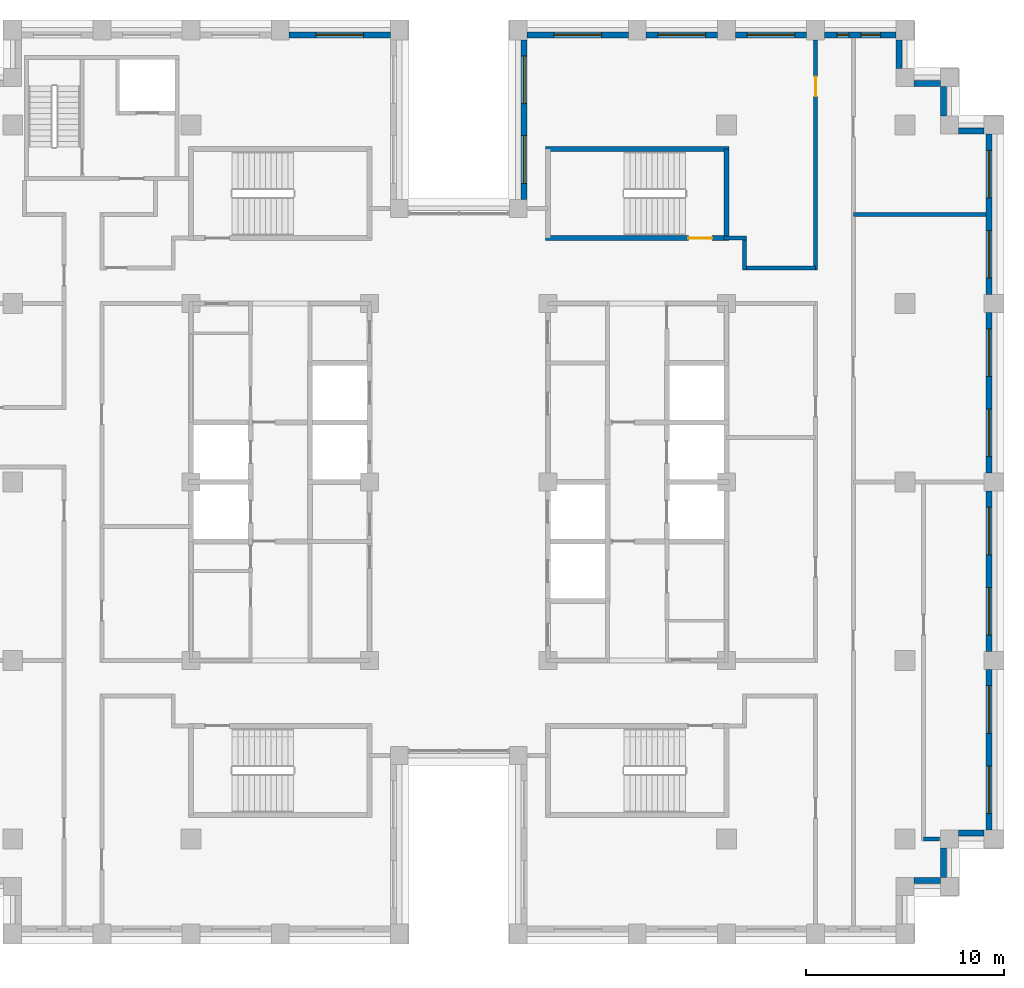
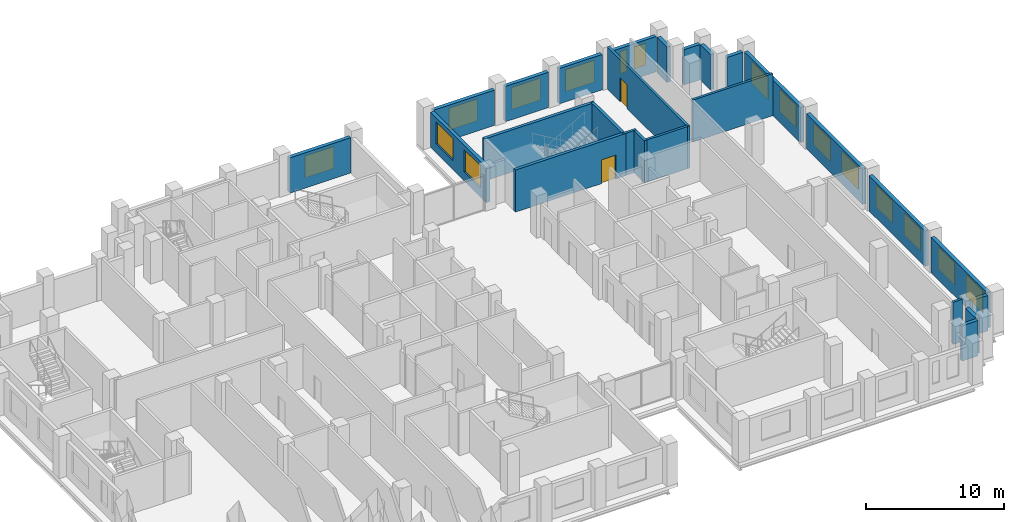
# One storey, part 11 of 15: 26 walls, 16 windows, 2 doors, 18 openings.
"""IFC4 building model written with IfcOpenShell, lengths in metres."""

from ifc_helpers import new_model, si_unit, direction, frame, frame_2d, origin, place, context, subcontext, project, spatial, rectangle, extrude, material, layer, layer_set, type_object, element, fill, save


model = new_model("IFC4")

# Units and contexts
model_context = context("Model", 3, precision=1e-05, world=origin(), true_north=direction((0.0, 1.0)))
body_context = subcontext(model_context, "Body", "Model", "MODEL_VIEW")
ifc_project = project(units=[si_unit("LENGTHUNIT", "METRE"), si_unit("AREAUNIT", "SQUARE_METRE"), si_unit("VOLUMEUNIT", "CUBIC_METRE"), si_unit("PLANEANGLEUNIT", "RADIAN"), si_unit("MASSUNIT", "GRAM", prefix="KILO")], contexts=[model_context])

# Site, building, storey
site_placement = place(None, origin())
site = spatial("IfcSite", under=ifc_project, at=site_placement, CompositionType="ELEMENT")
building_placement = place(site_placement, origin())
building = spatial("IfcBuilding", under=site, at=building_placement, Name="Corbelhall Arena Tower", CompositionType="ELEMENT")
storey_placement = place(building_placement, frame((0.0, 0.0, 224.0)))
storey = spatial("IfcBuildingStorey", under=building, at=storey_placement, Name="L47", CompositionType="ELEMENT", Elevation=224.0)

# Walls
ifc_material_1 = material(Name="Precast concrete C40/50 with granite facing", Category="masonry")
ifc_layer_1 = layer(ifc_material_1, 0.300048828125)
ifc_layer_set_1 = layer_set([ifc_layer_1], Name="EV-IW1 Infill panel 300")
wall_type_1 = type_object("IfcWallType", Name="EV-IW1 Infill panel 300", PredefinedType="SOLIDWALL", material=ifc_layer_set_1)
wall_1_placement = place(storey_placement, frame((22.949951171875, -20.10009765625, 0.0), z_axis=(0.0, 0.0, 1.0), x_axis=(1.0, 0.0, 0.0)))
element("IfcWall", 1, at=wall_1_placement, inside=storey, type_object=wall_type_1, Name="Infill panel IW1", PredefinedType="SOLIDWALL", context=body_context, shape_type="SweptSolid", body=[
    extrude(rectangle(XDim=1.35009765625, YDim=0.300048828125, at=frame_2d((0.675048828125, 0.0))), origin(), (0.0, 0.0, 1.0), 3.1201171875),
])
wall_2_placement = place(storey_placement, frame((24.449951171875, -19.949951171875, 0.0), z_axis=(0.0, 0.0, 1.0), x_axis=(0.0, 1.0, 0.0)))
element("IfcWall", 2, at=wall_2_placement, inside=storey, type_object=wall_type_1, Name="Infill panel IW1", PredefinedType="SOLIDWALL", context=body_context, shape_type="SweptSolid", body=[
    extrude(rectangle(XDim=1.5, YDim=0.300048828125, at=frame_2d((0.75, 0.0))), origin(), (0.0, 0.0, 1.0), 3.1201171875),
])
wall_3_placement = place(storey_placement, frame((25.199951171875, -17.699951171875, 0.0), z_axis=(0.0, 0.0, 1.0), x_axis=(1.0, 0.0, 0.0)))
element("IfcWall", 3, at=wall_3_placement, inside=storey, type_object=wall_type_1, Name="Infill panel IW1", PredefinedType="SOLIDWALL", context=body_context, shape_type="SweptSolid", body=[
    extrude(rectangle(XDim=1.300048828125, YDim=0.300048828125, at=frame_2d((0.64990234375, 0.0))), origin(), (0.0, 0.0, 1.0), 3.1201171875),
])

# Wall, openings, windows
wall_4_placement = place(storey_placement, frame((26.75, -17.550048828125, 0.0), z_axis=(0.0, 0.0, 1.0), x_axis=(0.0, 1.0, 0.0)))
wall_4 = element("IfcWall", 4, at=wall_4_placement, inside=storey, type_object=wall_type_1, Name="Infill panel IW1", PredefinedType="SOLIDWALL", context=body_context, shape_type="SweptSolid", body=[
    extrude(rectangle(XDim=8.10009765625, YDim=0.300048828125, at=frame_2d((4.050048828125, 0.0))), origin(), (0.0, 0.0, 1.0), 3.1201171875),
])
opening_1_placement = place(wall_4_placement, frame((0.824951171875, 0.0, 0.800048828125)))
opening_1 = element("IfcOpeningElement", 5, at=opening_1_placement, cuts=wall_4, Name="Opening WN1", PredefinedType="OPENING", context=body_context, shape_type="SweptSolid", body=[
    extrude(rectangle(XDim=2.39990234375, YDim=1.949951171875, at=frame_2d((1.199951171875, 0.97509765625))), frame((0.0, 0.14990234375, 0.0), z_axis=(0.0, -1.0, 0.0), x_axis=(1.0, 0.0, 0.0)), (0.0, 0.0, 1.0), 0.300048828125),
])
opening_2_placement = place(wall_4_placement, frame((4.875, 0.0, 0.800048828125)))
opening_2 = element("IfcOpeningElement", 6, at=opening_2_placement, cuts=wall_4, Name="Opening WN1", PredefinedType="OPENING", context=body_context, shape_type="SweptSolid", body=[
    extrude(rectangle(XDim=2.39990234375, YDim=1.949951171875, at=frame_2d((1.199951171875, 0.97509765625))), frame((0.0, 0.14990234375, 0.0), z_axis=(0.0, -1.0, 0.0), x_axis=(1.0, 0.0, 0.0)), (0.0, 0.0, 1.0), 0.300048828125),
])
ifc_material_2 = material(Name="Aluminium black anodised", Category="aluminium")
window_type_1 = type_object("IfcWindowType", Name="EV-WN1 Office window", PartitioningType="SINGLE_PANEL", PredefinedType="WINDOW", material=ifc_material_2)
window_1_placement = place(opening_1_placement, origin())
window_1 = element("IfcWindow", 7, at=window_1_placement, inside=storey, type_object=window_type_1, Name="Window WN1", OverallHeight=1.949951171875, OverallWidth=2.39990234375, PartitioningType="SINGLE_PANEL", PredefinedType="WINDOW", context=body_context, shape_type="SweptSolid", body=[
    extrude(rectangle(XDim=2.39990234375, YDim=1.949951171875, at=frame_2d((1.199951171875, 0.97509765625))), frame((0.0, 0.030029296875, 0.0), z_axis=(0.0, -1.0, 0.0), x_axis=(1.0, 0.0, 0.0)), (0.0, 0.0, 1.0), 0.06005859375),
])
fill(opening_1, window_1)
window_2_placement = place(opening_2_placement, origin())
window_2 = element("IfcWindow", 8, at=window_2_placement, inside=storey, type_object=window_type_1, Name="Window WN1", OverallHeight=1.949951171875, OverallWidth=2.39990234375, PartitioningType="SINGLE_PANEL", PredefinedType="WINDOW", context=body_context, shape_type="SweptSolid", body=[
    extrude(rectangle(XDim=2.39990234375, YDim=1.949951171875, at=frame_2d((1.199951171875, 0.97509765625))), frame((0.0, 0.030029296875, 0.0), z_axis=(0.0, -1.0, 0.0), x_axis=(1.0, 0.0, 0.0)), (0.0, 0.0, 1.0), 0.06005859375),
])
fill(opening_2, window_2)

wall_5_placement = place(storey_placement, frame((26.75, -8.550048828125, 0.0), z_axis=(0.0, 0.0, 1.0), x_axis=(0.0, 1.0, 0.0)))
wall_5 = element("IfcWall", 9, at=wall_5_placement, inside=storey, type_object=wall_type_1, Name="Infill panel IW1", PredefinedType="SOLIDWALL", context=body_context, shape_type="SweptSolid", body=[
    extrude(rectangle(XDim=8.10009765625, YDim=0.300048828125, at=frame_2d((4.050048828125, 0.0))), origin(), (0.0, 0.0, 1.0), 3.1201171875),
])
opening_3_placement = place(wall_5_placement, frame((0.824951171875, 0.0, 0.800048828125)))
opening_3 = element("IfcOpeningElement", 10, at=opening_3_placement, cuts=wall_5, Name="Opening WN1", PredefinedType="OPENING", context=body_context, shape_type="SweptSolid", body=[
    extrude(rectangle(XDim=2.39990234375, YDim=1.949951171875, at=frame_2d((1.199951171875, 0.97509765625))), frame((0.0, 0.14990234375, 0.0), z_axis=(0.0, -1.0, 0.0), x_axis=(1.0, 0.0, 0.0)), (0.0, 0.0, 1.0), 0.300048828125),
])
opening_4_placement = place(wall_5_placement, frame((4.875, 0.0, 0.800048828125)))
opening_4 = element("IfcOpeningElement", 11, at=opening_4_placement, cuts=wall_5, Name="Opening WN1", PredefinedType="OPENING", context=body_context, shape_type="SweptSolid", body=[
    extrude(rectangle(XDim=2.39990234375, YDim=1.949951171875, at=frame_2d((1.199951171875, 0.97509765625))), frame((0.0, 0.14990234375, 0.0), z_axis=(0.0, -1.0, 0.0), x_axis=(1.0, 0.0, 0.0)), (0.0, 0.0, 1.0), 0.300048828125),
])
window_3_placement = place(opening_3_placement, origin())
window_3 = element("IfcWindow", 12, at=window_3_placement, inside=storey, type_object=window_type_1, Name="Window WN1", OverallHeight=1.949951171875, OverallWidth=2.39990234375, PartitioningType="SINGLE_PANEL", PredefinedType="WINDOW", context=body_context, shape_type="SweptSolid", body=[
    extrude(rectangle(XDim=2.39990234375, YDim=1.949951171875, at=frame_2d((1.199951171875, 0.97509765625))), frame((0.0, 0.030029296875, 0.0), z_axis=(0.0, -1.0, 0.0), x_axis=(1.0, 0.0, 0.0)), (0.0, 0.0, 1.0), 0.06005859375),
])
fill(opening_3, window_3)
window_4_placement = place(opening_4_placement, origin())
window_4 = element("IfcWindow", 13, at=window_4_placement, inside=storey, type_object=window_type_1, Name="Window WN1", OverallHeight=1.949951171875, OverallWidth=2.39990234375, PartitioningType="SINGLE_PANEL", PredefinedType="WINDOW", context=body_context, shape_type="SweptSolid", body=[
    extrude(rectangle(XDim=2.39990234375, YDim=1.949951171875, at=frame_2d((1.199951171875, 0.97509765625))), frame((0.0, 0.030029296875, 0.0), z_axis=(0.0, -1.0, 0.0), x_axis=(1.0, 0.0, 0.0)), (0.0, 0.0, 1.0), 0.06005859375),
])
fill(opening_4, window_4)

wall_6_placement = place(storey_placement, frame((26.75, 0.449951171875, 0.0), z_axis=(0.0, 0.0, 1.0), x_axis=(0.0, 1.0, 0.0)))
wall_6 = element("IfcWall", 14, at=wall_6_placement, inside=storey, type_object=wall_type_1, Name="Infill panel IW1", PredefinedType="SOLIDWALL", context=body_context, shape_type="SweptSolid", body=[
    extrude(rectangle(XDim=8.10009765625, YDim=0.300048828125, at=frame_2d((4.050048828125, 0.0))), origin(), (0.0, 0.0, 1.0), 3.1201171875),
])
opening_5_placement = place(wall_6_placement, frame((0.824951171875, 0.0, 0.800048828125)))
opening_5 = element("IfcOpeningElement", 15, at=opening_5_placement, cuts=wall_6, Name="Opening WN1", PredefinedType="OPENING", context=body_context, shape_type="SweptSolid", body=[
    extrude(rectangle(XDim=2.39990234375, YDim=1.949951171875, at=frame_2d((1.199951171875, 0.97509765625))), frame((0.0, 0.14990234375, 0.0), z_axis=(0.0, -1.0, 0.0), x_axis=(1.0, 0.0, 0.0)), (0.0, 0.0, 1.0), 0.300048828125),
])
opening_6_placement = place(wall_6_placement, frame((4.875, 0.0, 0.800048828125)))
opening_6 = element("IfcOpeningElement", 16, at=opening_6_placement, cuts=wall_6, Name="Opening WN1", PredefinedType="OPENING", context=body_context, shape_type="SweptSolid", body=[
    extrude(rectangle(XDim=2.39990234375, YDim=1.949951171875, at=frame_2d((1.199951171875, 0.97509765625))), frame((0.0, 0.14990234375, 0.0), z_axis=(0.0, -1.0, 0.0), x_axis=(1.0, 0.0, 0.0)), (0.0, 0.0, 1.0), 0.300048828125),
])
window_5_placement = place(opening_5_placement, origin())
window_5 = element("IfcWindow", 17, at=window_5_placement, inside=storey, type_object=window_type_1, Name="Window WN1", OverallHeight=1.949951171875, OverallWidth=2.39990234375, PartitioningType="SINGLE_PANEL", PredefinedType="WINDOW", context=body_context, shape_type="SweptSolid", body=[
    extrude(rectangle(XDim=2.39990234375, YDim=1.949951171875, at=frame_2d((1.199951171875, 0.97509765625))), frame((0.0, 0.030029296875, 0.0), z_axis=(0.0, -1.0, 0.0), x_axis=(1.0, 0.0, 0.0)), (0.0, 0.0, 1.0), 0.06005859375),
])
fill(opening_5, window_5)
window_6_placement = place(opening_6_placement, origin())
window_6 = element("IfcWindow", 18, at=window_6_placement, inside=storey, type_object=window_type_1, Name="Window WN1", OverallHeight=1.949951171875, OverallWidth=2.39990234375, PartitioningType="SINGLE_PANEL", PredefinedType="WINDOW", context=body_context, shape_type="SweptSolid", body=[
    extrude(rectangle(XDim=2.39990234375, YDim=1.949951171875, at=frame_2d((1.199951171875, 0.97509765625))), frame((0.0, 0.030029296875, 0.0), z_axis=(0.0, -1.0, 0.0), x_axis=(1.0, 0.0, 0.0)), (0.0, 0.0, 1.0), 0.06005859375),
])
fill(opening_6, window_6)

wall_7_placement = place(storey_placement, frame((26.75, 9.449951171875, 0.0), z_axis=(0.0, 0.0, 1.0), x_axis=(0.0, 1.0, 0.0)))
wall_7 = element("IfcWall", 19, at=wall_7_placement, inside=storey, type_object=wall_type_1, Name="Infill panel IW1", PredefinedType="SOLIDWALL", context=body_context, shape_type="SweptSolid", body=[
    extrude(rectangle(XDim=8.10009765625, YDim=0.300048828125, at=frame_2d((4.050048828125, 0.0))), origin(), (0.0, 0.0, 1.0), 3.1201171875),
])
opening_7_placement = place(wall_7_placement, frame((0.824951171875, 0.0, 0.800048828125)))
opening_7 = element("IfcOpeningElement", 20, at=opening_7_placement, cuts=wall_7, Name="Opening WN1", PredefinedType="OPENING", context=body_context, shape_type="SweptSolid", body=[
    extrude(rectangle(XDim=2.39990234375, YDim=1.949951171875, at=frame_2d((1.199951171875, 0.97509765625))), frame((0.0, 0.14990234375, 0.0), z_axis=(0.0, -1.0, 0.0), x_axis=(1.0, 0.0, 0.0)), (0.0, 0.0, 1.0), 0.300048828125),
])
opening_8_placement = place(wall_7_placement, frame((4.875, 0.0, 0.800048828125)))
opening_8 = element("IfcOpeningElement", 21, at=opening_8_placement, cuts=wall_7, Name="Opening WN1", PredefinedType="OPENING", context=body_context, shape_type="SweptSolid", body=[
    extrude(rectangle(XDim=2.39990234375, YDim=1.949951171875, at=frame_2d((1.199951171875, 0.97509765625))), frame((0.0, 0.14990234375, 0.0), z_axis=(0.0, -1.0, 0.0), x_axis=(1.0, 0.0, 0.0)), (0.0, 0.0, 1.0), 0.300048828125),
])
window_7_placement = place(opening_7_placement, origin())
window_7 = element("IfcWindow", 22, at=window_7_placement, inside=storey, type_object=window_type_1, Name="Window WN1", OverallHeight=1.949951171875, OverallWidth=2.39990234375, PartitioningType="SINGLE_PANEL", PredefinedType="WINDOW", context=body_context, shape_type="SweptSolid", body=[
    extrude(rectangle(XDim=2.39990234375, YDim=1.949951171875, at=frame_2d((1.199951171875, 0.97509765625))), frame((0.0, 0.030029296875, 0.0), z_axis=(0.0, -1.0, 0.0), x_axis=(1.0, 0.0, 0.0)), (0.0, 0.0, 1.0), 0.06005859375),
])
fill(opening_7, window_7)
window_8_placement = place(opening_8_placement, origin())
window_8 = element("IfcWindow", 23, at=window_8_placement, inside=storey, type_object=window_type_1, Name="Window WN1", OverallHeight=1.949951171875, OverallWidth=2.39990234375, PartitioningType="SINGLE_PANEL", PredefinedType="WINDOW", context=body_context, shape_type="SweptSolid", body=[
    extrude(rectangle(XDim=2.39990234375, YDim=1.949951171875, at=frame_2d((1.199951171875, 0.97509765625))), frame((0.0, 0.030029296875, 0.0), z_axis=(0.0, -1.0, 0.0), x_axis=(1.0, 0.0, 0.0)), (0.0, 0.0, 1.0), 0.06005859375),
])
fill(opening_8, window_8)

# Walls
wall_8_placement = place(storey_placement, frame((26.5, 17.699951171875, 0.0), z_axis=(0.0, 0.0, 1.0), x_axis=(-1.0, 0.0, 0.0)))
element("IfcWall", 24, at=wall_8_placement, inside=storey, type_object=wall_type_1, Name="Infill panel IW1", PredefinedType="SOLIDWALL", context=body_context, shape_type="SweptSolid", body=[
    extrude(rectangle(XDim=1.300048828125, YDim=0.300048828125, at=frame_2d((0.64990234375, 0.0))), origin(), (0.0, 0.0, 1.0), 3.1201171875),
])
wall_9_placement = place(storey_placement, frame((24.449951171875, 18.449951171875, 0.0), z_axis=(0.0, 0.0, 1.0), x_axis=(0.0, 1.0, 0.0)))
element("IfcWall", 25, at=wall_9_placement, inside=storey, type_object=wall_type_1, Name="Infill panel IW1", PredefinedType="SOLIDWALL", context=body_context, shape_type="SweptSolid", body=[
    extrude(rectangle(XDim=1.5, YDim=0.300048828125, at=frame_2d((0.75, 0.0))), origin(), (0.0, 0.0, 1.0), 3.1201171875),
])
wall_10_placement = place(storey_placement, frame((24.300048828125, 20.10009765625, 0.0), z_axis=(0.0, 0.0, 1.0), x_axis=(-1.0, 0.0, 0.0)))
element("IfcWall", 26, at=wall_10_placement, inside=storey, type_object=wall_type_1, Name="Infill panel IW1", PredefinedType="SOLIDWALL", context=body_context, shape_type="SweptSolid", body=[
    extrude(rectangle(XDim=1.35009765625, YDim=0.300048828125, at=frame_2d((0.675048828125, 0.0))), origin(), (0.0, 0.0, 1.0), 3.1201171875),
])
wall_11_placement = place(storey_placement, frame((22.199951171875, 20.85009765625, 0.0), z_axis=(0.0, 0.0, 1.0), x_axis=(0.0, 1.0, 0.0)))
element("IfcWall", 27, at=wall_11_placement, inside=storey, type_object=wall_type_1, Name="Infill panel IW1", PredefinedType="SOLIDWALL", context=body_context, shape_type="SweptSolid", body=[
    extrude(rectangle(XDim=1.449951171875, YDim=0.300048828125, at=frame_2d((0.72509765625, 0.0))), origin(), (0.0, 0.0, 1.0), 3.1201171875),
])

# Wall, openings, windows
wall_12_placement = place(storey_placement, frame((22.050048828125, 22.550048828125, 0.0), z_axis=(0.0, 0.0, 1.0), x_axis=(-1.0, 0.0, 0.0)))
wall_12 = element("IfcWall", 28, at=wall_12_placement, inside=storey, type_object=wall_type_1, Name="Infill panel IW1", PredefinedType="SOLIDWALL", context=body_context, shape_type="SweptSolid", body=[
    extrude(rectangle(XDim=3.60009765625, YDim=0.300048828125, at=frame_2d((1.800048828125, 0.0))), origin(), (0.0, 0.0, 1.0), 3.1201171875),
])
opening_9_placement = place(wall_12_placement, frame((0.77490234375, 0.0, 0.800048828125)))
opening_9 = element("IfcOpeningElement", 29, at=opening_9_placement, cuts=wall_12, Name="Opening WN6", PredefinedType="OPENING", context=body_context, shape_type="SweptSolid", body=[
    extrude(rectangle(XDim=1.0, YDim=1.949951171875, at=frame_2d((0.5, 0.97509765625))), frame((0.0, 0.14990234375, 0.0), z_axis=(0.0, -1.0, 0.0), x_axis=(1.0, 0.0, 0.0)), (0.0, 0.0, 1.0), 0.300048828125),
])
opening_10_placement = place(wall_12_placement, frame((2.375, 0.0, 0.800048828125)))
opening_10 = element("IfcOpeningElement", 30, at=opening_10_placement, cuts=wall_12, Name="Opening WN5", PredefinedType="OPENING", context=body_context, shape_type="SweptSolid", body=[
    extrude(rectangle(XDim=0.60009765625, YDim=1.949951171875, at=frame_2d((0.300048828125, 0.97509765625))), frame((0.0, 0.14990234375, 0.0), z_axis=(0.0, -1.0, 0.0), x_axis=(1.0, 0.0, 0.0)), (0.0, 0.0, 1.0), 0.300048828125),
])
window_type_2 = type_object("IfcWindowType", Name="EV-WN5 Office window 600", PartitioningType="SINGLE_PANEL", PredefinedType="WINDOW", material=ifc_material_2)
window_9_placement = place(opening_10_placement, origin())
window_9 = element("IfcWindow", 31, at=window_9_placement, inside=storey, type_object=window_type_2, Name="Window WN5", OverallHeight=1.949951171875, OverallWidth=0.60009765625, PartitioningType="SINGLE_PANEL", PredefinedType="WINDOW", context=body_context, shape_type="SweptSolid", body=[
    extrude(rectangle(XDim=0.60009765625, YDim=1.949951171875, at=frame_2d((0.300048828125, 0.97509765625))), frame((0.0, 0.030029296875, 0.0), z_axis=(0.0, -1.0, 0.0), x_axis=(1.0, 0.0, 0.0)), (0.0, 0.0, 1.0), 0.06005859375),
])
fill(opening_10, window_9)
window_type_3 = type_object("IfcWindowType", Name="EV-WN6 Office window 1000", PartitioningType="SINGLE_PANEL", PredefinedType="WINDOW", material=ifc_material_2)
window_10_placement = place(opening_9_placement, origin())
window_10 = element("IfcWindow", 32, at=window_10_placement, inside=storey, type_object=window_type_3, Name="Window WN6", OverallHeight=1.949951171875, OverallWidth=1.0, PartitioningType="SINGLE_PANEL", PredefinedType="WINDOW", context=body_context, shape_type="SweptSolid", body=[
    extrude(rectangle(XDim=1.0, YDim=1.949951171875, at=frame_2d((0.5, 0.97509765625))), frame((0.0, 0.030029296875, 0.0), z_axis=(0.0, -1.0, 0.0), x_axis=(1.0, 0.0, 0.0)), (0.0, 0.0, 1.0), 0.06005859375),
])
fill(opening_9, window_10)

# Wall, opening, window
wall_13_placement = place(storey_placement, frame((17.550048828125, 22.550048828125, 0.0), z_axis=(0.0, 0.0, 1.0), x_axis=(-1.0, 0.0, 0.0)))
wall_13 = element("IfcWall", 33, at=wall_13_placement, inside=storey, type_object=wall_type_1, Name="Infill panel IW1", PredefinedType="SOLIDWALL", context=body_context, shape_type="SweptSolid", body=[
    extrude(rectangle(XDim=3.60009765625, YDim=0.300048828125, at=frame_2d((1.800048828125, 0.0))), origin(), (0.0, 0.0, 1.0), 3.1201171875),
])
opening_11_placement = place(wall_13_placement, frame((0.60009765625, 0.0, 0.800048828125)))
opening_11 = element("IfcOpeningElement", 34, at=opening_11_placement, cuts=wall_13, Name="Opening WN1", PredefinedType="OPENING", context=body_context, shape_type="SweptSolid", body=[
    extrude(rectangle(XDim=2.39990234375, YDim=1.949951171875, at=frame_2d((1.199951171875, 0.97509765625))), frame((0.0, 0.14990234375, 0.0), z_axis=(0.0, -1.0, 0.0), x_axis=(1.0, 0.0, 0.0)), (0.0, 0.0, 1.0), 0.300048828125),
])
window_11_placement = place(opening_11_placement, origin())
window_11 = element("IfcWindow", 35, at=window_11_placement, inside=storey, type_object=window_type_1, Name="Window WN1", OverallHeight=1.949951171875, OverallWidth=2.39990234375, PartitioningType="SINGLE_PANEL", PredefinedType="WINDOW", context=body_context, shape_type="SweptSolid", body=[
    extrude(rectangle(XDim=2.39990234375, YDim=1.949951171875, at=frame_2d((1.199951171875, 0.97509765625))), frame((0.0, 0.030029296875, 0.0), z_axis=(0.0, -1.0, 0.0), x_axis=(1.0, 0.0, 0.0)), (0.0, 0.0, 1.0), 0.06005859375),
])
fill(opening_11, window_11)

wall_14_placement = place(storey_placement, frame((13.050048828125, 22.550048828125, 0.0), z_axis=(0.0, 0.0, 1.0), x_axis=(-1.0, 0.0, 0.0)))
wall_14 = element("IfcWall", 36, at=wall_14_placement, inside=storey, type_object=wall_type_1, Name="Infill panel IW1", PredefinedType="SOLIDWALL", context=body_context, shape_type="SweptSolid", body=[
    extrude(rectangle(XDim=3.60009765625, YDim=0.300048828125, at=frame_2d((1.800048828125, 0.0))), origin(), (0.0, 0.0, 1.0), 3.1201171875),
])
opening_12_placement = place(wall_14_placement, frame((0.60009765625, 0.0, 0.800048828125)))
opening_12 = element("IfcOpeningElement", 37, at=opening_12_placement, cuts=wall_14, Name="Opening WN1", PredefinedType="OPENING", context=body_context, shape_type="SweptSolid", body=[
    extrude(rectangle(XDim=2.39990234375, YDim=1.949951171875, at=frame_2d((1.199951171875, 0.97509765625))), frame((0.0, 0.14990234375, 0.0), z_axis=(0.0, -1.0, 0.0), x_axis=(1.0, 0.0, 0.0)), (0.0, 0.0, 1.0), 0.300048828125),
])
window_12_placement = place(opening_12_placement, origin())
window_12 = element("IfcWindow", 38, at=window_12_placement, inside=storey, type_object=window_type_1, Name="Window WN1", OverallHeight=1.949951171875, OverallWidth=2.39990234375, PartitioningType="SINGLE_PANEL", PredefinedType="WINDOW", context=body_context, shape_type="SweptSolid", body=[
    extrude(rectangle(XDim=2.39990234375, YDim=1.949951171875, at=frame_2d((1.199951171875, 0.97509765625))), frame((0.0, 0.030029296875, 0.0), z_axis=(0.0, -1.0, 0.0), x_axis=(1.0, 0.0, 0.0)), (0.0, 0.0, 1.0), 0.06005859375),
])
fill(opening_12, window_12)

wall_15_placement = place(storey_placement, frame((8.550048828125, 22.550048828125, 0.0), z_axis=(0.0, 0.0, 1.0), x_axis=(-1.0, 0.0, 0.0)))
wall_15 = element("IfcWall", 39, at=wall_15_placement, inside=storey, type_object=wall_type_1, Name="Infill panel IW1", PredefinedType="SOLIDWALL", context=body_context, shape_type="SweptSolid", body=[
    extrude(rectangle(XDim=5.10009765625, YDim=0.300048828125, at=frame_2d((2.550048828125, 0.0))), origin(), (0.0, 0.0, 1.0), 3.1201171875),
])
opening_13_placement = place(wall_15_placement, frame((1.35009765625, 0.0, 0.800048828125)))
opening_13 = element("IfcOpeningElement", 40, at=opening_13_placement, cuts=wall_15, Name="Opening WN1", PredefinedType="OPENING", context=body_context, shape_type="SweptSolid", body=[
    extrude(rectangle(XDim=2.39990234375, YDim=1.949951171875, at=frame_2d((1.199951171875, 0.97509765625))), frame((0.0, 0.14990234375, 0.0), z_axis=(0.0, -1.0, 0.0), x_axis=(1.0, 0.0, 0.0)), (0.0, 0.0, 1.0), 0.300048828125),
])
window_13_placement = place(opening_13_placement, origin())
window_13 = element("IfcWindow", 41, at=window_13_placement, inside=storey, type_object=window_type_1, Name="Window WN1", OverallHeight=1.949951171875, OverallWidth=2.39990234375, PartitioningType="SINGLE_PANEL", PredefinedType="WINDOW", context=body_context, shape_type="SweptSolid", body=[
    extrude(rectangle(XDim=2.39990234375, YDim=1.949951171875, at=frame_2d((1.199951171875, 0.97509765625))), frame((0.0, 0.030029296875, 0.0), z_axis=(0.0, -1.0, 0.0), x_axis=(1.0, 0.0, 0.0)), (0.0, 0.0, 1.0), 0.06005859375),
])
fill(opening_13, window_13)

# Wall, openings, windows
wall_16_placement = place(storey_placement, frame((3.300048828125, 22.300048828125, 0.0), z_axis=(0.0, 0.0, 1.0), x_axis=(0.0, -1.0, 0.0)))
wall_16 = element("IfcWall", 42, at=wall_16_placement, inside=storey, type_object=wall_type_1, Name="Infill panel IW1", PredefinedType="SOLIDWALL", context=body_context, shape_type="SweptSolid", body=[
    extrude(rectangle(XDim=8.050048828125, YDim=0.300048828125, at=frame_2d((4.02490234375, 0.0))), origin(), (0.0, 0.0, 1.0), 3.1201171875),
])
opening_14_placement = place(wall_16_placement, frame((0.8125, 0.0, 0.800048828125)))
opening_14 = element("IfcOpeningElement", 43, at=opening_14_placement, cuts=wall_16, Name="Opening WN1", PredefinedType="OPENING", context=body_context, shape_type="SweptSolid", body=[
    extrude(rectangle(XDim=2.39990234375, YDim=1.949951171875, at=frame_2d((1.199951171875, 0.97509765625))), frame((0.0, 0.14990234375, 0.0), z_axis=(0.0, -1.0, 0.0), x_axis=(1.0, 0.0, 0.0)), (0.0, 0.0, 1.0), 0.300048828125),
])
opening_15_placement = place(wall_16_placement, frame((4.83740234375, 0.0, 0.800048828125)))
opening_15 = element("IfcOpeningElement", 44, at=opening_15_placement, cuts=wall_16, Name="Opening WN1", PredefinedType="OPENING", context=body_context, shape_type="SweptSolid", body=[
    extrude(rectangle(XDim=2.39990234375, YDim=1.949951171875, at=frame_2d((1.199951171875, 0.97509765625))), frame((0.0, 0.14990234375, 0.0), z_axis=(0.0, -1.0, 0.0), x_axis=(1.0, 0.0, 0.0)), (0.0, 0.0, 1.0), 0.300048828125),
])
window_14_placement = place(opening_14_placement, origin())
window_14 = element("IfcWindow", 45, at=window_14_placement, inside=storey, type_object=window_type_1, Name="Window WN1", OverallHeight=1.949951171875, OverallWidth=2.39990234375, PartitioningType="SINGLE_PANEL", PredefinedType="WINDOW", context=body_context, shape_type="SweptSolid", body=[
    extrude(rectangle(XDim=2.39990234375, YDim=1.949951171875, at=frame_2d((1.199951171875, 0.97509765625))), frame((0.0, 0.030029296875, 0.0), z_axis=(0.0, -1.0, 0.0), x_axis=(1.0, 0.0, 0.0)), (0.0, 0.0, 1.0), 0.06005859375),
])
fill(opening_14, window_14)
window_15_placement = place(opening_15_placement, origin())
window_15 = element("IfcWindow", 46, at=window_15_placement, inside=storey, type_object=window_type_1, Name="Window WN1", OverallHeight=1.949951171875, OverallWidth=2.39990234375, PartitioningType="SINGLE_PANEL", PredefinedType="WINDOW", context=body_context, shape_type="SweptSolid", body=[
    extrude(rectangle(XDim=2.39990234375, YDim=1.949951171875, at=frame_2d((1.199951171875, 0.97509765625))), frame((0.0, 0.030029296875, 0.0), z_axis=(0.0, -1.0, 0.0), x_axis=(1.0, 0.0, 0.0)), (0.0, 0.0, 1.0), 0.06005859375),
])
fill(opening_15, window_15)

# Wall, opening, window
wall_17_placement = place(storey_placement, frame((-3.449951171875, 22.550048828125, 0.0), z_axis=(0.0, 0.0, 1.0), x_axis=(-1.0, 0.0, 0.0)))
wall_17 = element("IfcWall", 47, at=wall_17_placement, inside=storey, type_object=wall_type_1, Name="Infill panel IW1", PredefinedType="SOLIDWALL", context=body_context, shape_type="SweptSolid", body=[
    extrude(rectangle(XDim=5.10009765625, YDim=0.300048828125, at=frame_2d((2.550048828125, 0.0))), origin(), (0.0, 0.0, 1.0), 3.1201171875),
])
opening_16_placement = place(wall_17_placement, frame((1.35009765625, 0.0, 0.800048828125)))
opening_16 = element("IfcOpeningElement", 48, at=opening_16_placement, cuts=wall_17, Name="Opening WN1", PredefinedType="OPENING", context=body_context, shape_type="SweptSolid", body=[
    extrude(rectangle(XDim=2.39990234375, YDim=1.949951171875, at=frame_2d((1.199951171875, 0.97509765625))), frame((0.0, 0.14990234375, 0.0), z_axis=(0.0, -1.0, 0.0), x_axis=(1.0, 0.0, 0.0)), (0.0, 0.0, 1.0), 0.300048828125),
])
window_16_placement = place(opening_16_placement, origin())
window_16 = element("IfcWindow", 49, at=window_16_placement, inside=storey, type_object=window_type_1, Name="Window WN1", OverallHeight=1.949951171875, OverallWidth=2.39990234375, PartitioningType="SINGLE_PANEL", PredefinedType="WINDOW", context=body_context, shape_type="SweptSolid", body=[
    extrude(rectangle(XDim=2.39990234375, YDim=1.949951171875, at=frame_2d((1.199951171875, 0.97509765625))), frame((0.0, 0.030029296875, 0.0), z_axis=(0.0, -1.0, 0.0), x_axis=(1.0, 0.0, 0.0)), (0.0, 0.0, 1.0), 0.06005859375),
])
fill(opening_16, window_16)

# Walls
ifc_material_3 = material(Name="Gypsum board on steel stud, acoustic", Category="steel")
ifc_layer_2 = layer(ifc_material_3, 0.199951171875)
ifc_layer_set_2 = layer_set([ifc_layer_2], Name="IN-W-DM200")
wall_type_2 = type_object("IfcWallType", Name="IN-W-DM200", PredefinedType="PARTITIONING", material=ifc_layer_set_2)
wall_18_placement = place(storey_placement, frame((13.375, 12.300048828125, 0.0), z_axis=(0.0, 0.0, 1.0), x_axis=(1.0, 0.0, 0.0)))
element("IfcWall", 50, at=wall_18_placement, inside=storey, type_object=wall_type_2, Name="Partition 035", PredefinedType="PARTITIONING", context=body_context, shape_type="SweptSolid", body=[
    extrude(rectangle(XDim=1.125, YDim=0.199951171875, at=frame_2d((0.5625, 0.0))), origin(), (0.0, 0.0, 1.0), 3.719970703125),
])
wall_19_placement = place(storey_placement, frame((14.39990234375, 10.800048828125, 0.0), z_axis=(0.0, 0.0, 1.0), x_axis=(1.0, 0.0, 0.0)))
element("IfcWall", 51, at=wall_19_placement, inside=storey, type_object=wall_type_2, Name="Partition 041", PredefinedType="PARTITIONING", context=body_context, shape_type="SweptSolid", body=[
    extrude(rectangle(XDim=3.60009765625, YDim=0.199951171875, at=frame_2d((1.800048828125, 0.0))), origin(), (0.0, 0.0, 1.0), 3.719970703125),
])
wall_20_placement = place(storey_placement, frame((14.39990234375, 12.300048828125, 0.0), z_axis=(0.0, 0.0, 1.0), x_axis=(0.0, -1.0, 0.0)))
element("IfcWall", 52, at=wall_20_placement, inside=storey, type_object=wall_type_2, Name="Partition 042", PredefinedType="PARTITIONING", context=body_context, shape_type="SweptSolid", body=[
    extrude(rectangle(XDim=1.60009765625, YDim=0.199951171875, at=frame_2d((0.800048828125, 0.0))), origin(), (0.0, 0.0, 1.0), 3.719970703125),
])

# Wall, opening, door
wall_21_placement = place(storey_placement, frame((18.0, 10.699951171875, 0.0), z_axis=(0.0, 0.0, 1.0), x_axis=(0.0, 1.0, 0.0)))
wall_21 = element("IfcWall", 53, at=wall_21_placement, inside=storey, type_object=wall_type_2, Name="Partition 046", PredefinedType="PARTITIONING", context=body_context, shape_type="SweptSolid", body=[
    extrude(rectangle(XDim=11.60009765625, YDim=0.199951171875, at=frame_2d((5.800048828125, 0.0))), origin(), (0.0, 0.0, 1.0), 3.719970703125),
])
opening_17_placement = place(wall_21_placement, frame((8.75, 0.0, 0.0)))
opening_17 = element("IfcOpeningElement", 54, at=opening_17_placement, cuts=wall_21, Name="Opening 14029", PredefinedType="OPENING", context=body_context, shape_type="SweptSolid", body=[
    extrude(rectangle(XDim=1.0, YDim=2.10009765625, at=frame_2d((0.5, 1.050048828125))), frame((0.0, 0.10009765625, 0.0), z_axis=(0.0, -1.0, 0.0), x_axis=(1.0, 0.0, 0.0)), (0.0, 0.0, 1.0), 0.199951171875),
])
ifc_material_4 = material(Name="Steel door set", Category="steel")
door_type_1 = type_object("IfcDoorType", Name="IN-D-SW100", OperationType="NOTDEFINED", PredefinedType="DOOR", material=ifc_material_4)
door_1_placement = place(opening_17_placement, origin())
door_1 = element("IfcDoor", 55, at=door_1_placement, inside=storey, type_object=door_type_1, Name="Door 029", OperationType="SINGLE_SWING_RIGHT", OverallHeight=2.10009765625, OverallWidth=1.0, PredefinedType="DOOR", context=body_context, shape_type="SweptSolid", body=[
    extrude(rectangle(XDim=1.0, YDim=2.10009765625, at=frame_2d((0.5, 1.050048828125))), frame((0.0, 0.02490234375, 0.0), z_axis=(0.0, -1.0, 0.0), x_axis=(1.0, 0.0, 0.0)), (0.0, 0.0, 1.0), 0.050048828125),
])
fill(opening_17, door_1)

# Walls
wall_22_placement = place(storey_placement, frame((19.89990234375, 13.5, 0.0), z_axis=(0.0, 0.0, 1.0), x_axis=(1.0, 0.0, 0.0)))
element("IfcWall", 56, at=wall_22_placement, inside=storey, type_object=wall_type_2, Name="Partition 048", PredefinedType="PARTITIONING", context=body_context, shape_type="SweptSolid", body=[
    extrude(rectangle(XDim=6.7001953125, YDim=0.199951171875, at=frame_2d((3.35009765625, 0.0))), origin(), (0.0, 0.0, 1.0), 3.719970703125),
])
wall_23_placement = place(storey_placement, frame((23.449951171875, -18.0, 0.0), z_axis=(0.0, 0.0, 1.0), x_axis=(1.0, 0.0, 0.0)))
element("IfcWall", 57, at=wall_23_placement, inside=storey, type_object=wall_type_2, Name="Partition 049", PredefinedType="PARTITIONING", context=body_context, shape_type="SweptSolid", body=[
    extrude(rectangle(XDim=0.800048828125, YDim=0.199951171875, at=frame_2d((0.39990234375, 0.0))), origin(), (0.0, 0.0, 1.0), 3.719970703125),
])

# Wall, opening, door
ifc_material_5 = material(Name="Concrete C40/50", Category="concrete")
ifc_layer_3 = layer(ifc_material_5, 0.25)
ifc_layer_set_3 = layer_set([ifc_layer_3], Name="IN-W-ST250")
wall_type_3 = type_object("IfcWallType", Name="IN-W-ST250", PredefinedType="SOLIDWALL", material=ifc_layer_set_3)
wall_24_placement = place(storey_placement, frame((4.375, 12.300048828125, 0.0), z_axis=(0.0, 0.0, 1.0), x_axis=(1.0, 0.0, 0.0)))
wall_24 = element("IfcWall", 58, at=wall_24_placement, inside=storey, type_object=wall_type_3, Name="Shaft wall 109", PredefinedType="SOLIDWALL", context=body_context, shape_type="SweptSolid", body=[
    extrude(rectangle(XDim=9.25, YDim=0.25, at=frame_2d((4.625, 0.0))), origin(), (0.0, 0.0, 1.0), 3.719970703125),
])
opening_18_placement = place(wall_24_placement, frame((7.199951171875, 0.0, 0.0)))
opening_18 = element("IfcOpeningElement", 59, at=opening_18_placement, cuts=wall_24, Name="Opening 14020", PredefinedType="OPENING", context=body_context, shape_type="SweptSolid", body=[
    extrude(rectangle(XDim=1.199951171875, YDim=2.10009765625, at=frame_2d((0.60009765625, 1.050048828125))), frame((0.0, 0.125, 0.0), z_axis=(0.0, -1.0, 0.0), x_axis=(1.0, 0.0, 0.0)), (0.0, 0.0, 1.0), 0.25),
])
door_type_2 = type_object("IfcDoorType", Name="IN-D-ST120", OperationType="NOTDEFINED", PredefinedType="DOOR", material=ifc_material_4)
door_2_placement = place(opening_18_placement, origin())
door_2 = element("IfcDoor", 60, at=door_2_placement, inside=storey, type_object=door_type_2, Name="Door 020", OperationType="SINGLE_SWING_LEFT", OverallHeight=2.10009765625, OverallWidth=1.199951171875, PredefinedType="DOOR", context=body_context, shape_type="SweptSolid", body=[
    extrude(rectangle(XDim=1.199951171875, YDim=2.10009765625, at=frame_2d((0.60009765625, 1.050048828125))), frame((0.0, 0.02490234375, 0.0), z_axis=(0.0, -1.0, 0.0), x_axis=(1.0, 0.0, 0.0)), (0.0, 0.0, 1.0), 0.050048828125),
])
fill(opening_18, door_2)

# Walls
wall_25_placement = place(storey_placement, frame((4.375, 16.800048828125, 0.0), z_axis=(0.0, 0.0, 1.0), x_axis=(1.0, 0.0, 0.0)))
element("IfcWall", 61, at=wall_25_placement, inside=storey, type_object=wall_type_3, Name="Shaft wall 110", PredefinedType="SOLIDWALL", context=body_context, shape_type="SweptSolid", body=[
    extrude(rectangle(XDim=9.25, YDim=0.25, at=frame_2d((4.625, 0.0))), origin(), (0.0, 0.0, 1.0), 3.719970703125),
])
wall_26_placement = place(storey_placement, frame((13.5, 16.800048828125, 0.0), z_axis=(0.0, 0.0, 1.0), x_axis=(0.0, -1.0, 0.0)))
element("IfcWall", 62, at=wall_26_placement, inside=storey, type_object=wall_type_3, Name="Shaft wall 115", PredefinedType="SOLIDWALL", context=body_context, shape_type="SweptSolid", body=[
    extrude(rectangle(XDim=4.5, YDim=0.25, at=frame_2d((2.25, 0.0))), origin(), (0.0, 0.0, 1.0), 3.719970703125),
])

save(model, "model.ifc")
